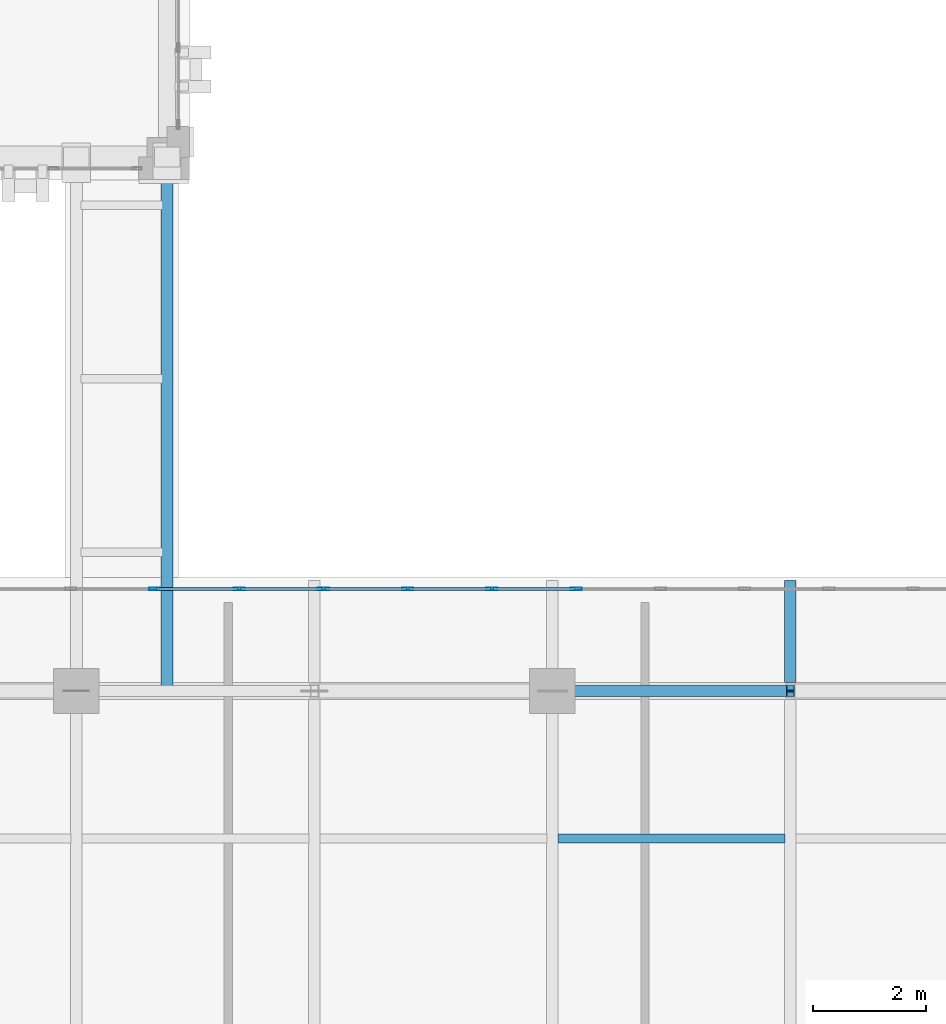
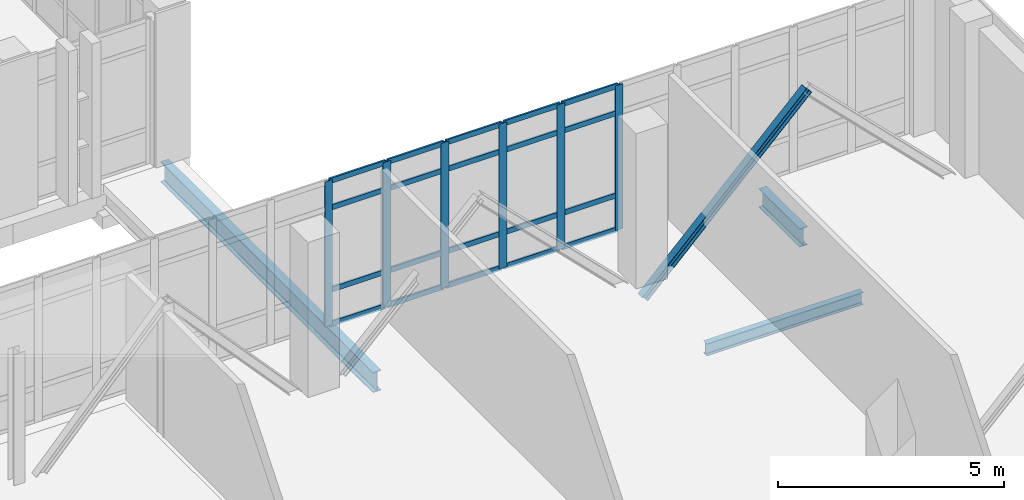
# One storey, part 14 of 158: 27 members, 3 beams, 1 element without a shape of its own.
"""IFC4 building model written with IfcOpenShell, lengths in metres."""

from ifc_helpers import new_model, si_unit, direction, frame, origin, origin_2d, place, context, subcontext, project, spatial, hollow_rectangle, i_section, extrude, material, layer, layer_set, material_profile, profile_set, type_object, element, aggregate, save


model = new_model("IFC4")

# Units and contexts
model_context = context("Model", 3, precision=1e-05, world=origin(), true_north=direction((0.0, 1.0)))
body_context = subcontext(model_context, "Body", "Model", "MODEL_VIEW")
ifc_project = project(units=[si_unit("LENGTHUNIT", "METRE"), si_unit("AREAUNIT", "SQUARE_METRE"), si_unit("VOLUMEUNIT", "CUBIC_METRE"), si_unit("PLANEANGLEUNIT", "RADIAN"), si_unit("MASSUNIT", "GRAM", prefix="KILO")], contexts=[model_context])

# Site, building, storey
site_placement = place(None, origin())
site = spatial("IfcSite", under=ifc_project, at=site_placement, CompositionType="ELEMENT")
building_placement = place(site_placement, origin())
building = spatial("IfcBuilding", under=site, at=building_placement, Name="Qalavern Law Courts", CompositionType="ELEMENT")
storey_placement = place(building_placement, frame((0.0, 0.0, 18.60009765625)))
storey = spatial("IfcBuildingStorey", under=building, at=storey_placement, Name="L04", CompositionType="ELEMENT", Elevation=18.60009765625)

# Curtain wall, members
ifc_material_1 = material(Name="Anodised aluminium and insulated glazing", Category="aluminium")
ifc_layer = layer(ifc_material_1, 0.199951171875)
ifc_layer_set = layer_set([ifc_layer], Name="Anodised aluminium and insulated glazing")
curtain_wall_type = type_object("IfcCurtainWallType", Name="ENV-CW-FOYER", PredefinedType="USERDEFINED", material=ifc_layer_set)
curtain_wall_placement = place(storey_placement, origin())
curtain_wall = element("IfcCurtainWall", 1, at=curtain_wall_placement, inside=storey, type_object=curtain_wall_type, Name="V1 unitised curtain wall L04 north 1", ObjectType="UNITISED CURTAIN WALL", PredefinedType="USERDEFINED")
ifc_material_2 = material(Name="Anodised aluminium", Category="aluminium")
ifc_material_profile_1 = material_profile(ifc_material_2, hollow_rectangle(XDim=0.048095703125, YDim=0.199951171875, WallThickness=0.00439453125, at=origin_2d()), Name="ALU MULLION 48x200")
ifc_profile_set_1 = profile_set([ifc_material_profile_1], Name="Anodised aluminium")
member_type_1 = type_object("IfcMemberType", Name="ENV-CWM-48x200", PredefinedType="MULLION", material=ifc_profile_set_1)
member_1_placement = place(storey_placement, frame((25.62158203125, 33.800048828125, 0.0), z_axis=(0.0, 0.0, 1.0), x_axis=(0.0, -1.0, 0.0)))
member_1 = element("IfcMember", 2, at=member_1_placement, type_object=member_type_1, Name="CW-01 mullion 6", PredefinedType="MULLION", context=body_context, shape_type="SweptSolid", body=[
    extrude(hollow_rectangle(XDim=0.048095703125, YDim=0.199951171875, WallThickness=0.00439453125, at=origin_2d()), origin(), (0.0, 0.0, 1.0), 3.9248046875),
])
member_2_placement = place(storey_placement, frame((24.135009765625, 33.800048828125, 0.0), z_axis=(0.0, 0.0, 1.0), x_axis=(0.0, -1.0, 0.0)))
member_2 = element("IfcMember", 3, at=member_2_placement, type_object=member_type_1, Name="CW-01 mullion 7", PredefinedType="MULLION", context=body_context, shape_type="SweptSolid", body=[
    extrude(hollow_rectangle(XDim=0.048095703125, YDim=0.199951171875, WallThickness=0.00439453125, at=origin_2d()), origin(), (0.0, 0.0, 1.0), 3.9248046875),
])
member_3_placement = place(storey_placement, frame((22.6484375, 33.800048828125, 0.0), z_axis=(0.0, 0.0, 1.0), x_axis=(0.0, -1.0, 0.0)))
member_3 = element("IfcMember", 4, at=member_3_placement, type_object=member_type_1, Name="CW-01 mullion 8", PredefinedType="MULLION", context=body_context, shape_type="SweptSolid", body=[
    extrude(hollow_rectangle(XDim=0.048095703125, YDim=0.199951171875, WallThickness=0.00439453125, at=origin_2d()), origin(), (0.0, 0.0, 1.0), 3.9248046875),
])
member_4_placement = place(storey_placement, frame((21.16162109375, 33.800048828125, 0.0), z_axis=(0.0, 0.0, 1.0), x_axis=(0.0, -1.0, 0.0)))
member_4 = element("IfcMember", 5, at=member_4_placement, type_object=member_type_1, Name="CW-01 mullion 9", PredefinedType="MULLION", context=body_context, shape_type="SweptSolid", body=[
    extrude(hollow_rectangle(XDim=0.048095703125, YDim=0.199951171875, WallThickness=0.00439453125, at=origin_2d()), origin(), (0.0, 0.0, 1.0), 3.9248046875),
])
member_5_placement = place(storey_placement, frame((19.675048828125, 33.800048828125, 0.0), z_axis=(0.0, 0.0, 1.0), x_axis=(0.0, -1.0, 0.0)))
member_5 = element("IfcMember", 6, at=member_5_placement, type_object=member_type_1, Name="CW-01 mullion 10", PredefinedType="MULLION", context=body_context, shape_type="SweptSolid", body=[
    extrude(hollow_rectangle(XDim=0.048095703125, YDim=0.199951171875, WallThickness=0.00439453125, at=origin_2d()), origin(), (0.0, 0.0, 1.0), 3.9248046875),
])
member_6_placement = place(storey_placement, frame((18.188232421875, 33.800048828125, 0.0), z_axis=(0.0, 0.0, 1.0), x_axis=(0.0, -1.0, 0.0)))
member_6 = element("IfcMember", 7, at=member_6_placement, type_object=member_type_1, Name="CW-01 mullion 11", PredefinedType="MULLION", context=body_context, shape_type="SweptSolid", body=[
    extrude(hollow_rectangle(XDim=0.048095703125, YDim=0.199951171875, WallThickness=0.00439453125, at=origin_2d()), origin(), (0.0, 0.0, 1.0), 3.9248046875),
])
ifc_material_profile_2 = material_profile(ifc_material_2, hollow_rectangle(XDim=0.048095703125, YDim=0.139892578125, WallThickness=0.00390625, at=origin_2d()), Name="ALU TRANSOM 48x140")
ifc_profile_set_2 = profile_set([ifc_material_profile_2], Name="Anodised aluminium")
member_type_2 = type_object("IfcMemberType", Name="ENV-CWT-48x140", PredefinedType="USERDEFINED", material=ifc_profile_set_2)
member_7_placement = place(storey_placement, frame((25.59765625, 33.800048828125, 0.02392578125), z_axis=(-1.0, 0.0, 0.0), x_axis=(0.0, -1.0, 0.0)))
member_7 = element("IfcMember", 8, at=member_7_placement, type_object=member_type_2, Name="CW-01 transom 6.1", ObjectType="TRANSOM", PredefinedType="USERDEFINED", context=body_context, shape_type="SweptSolid", body=[
    extrude(hollow_rectangle(XDim=0.048095703125, YDim=0.139892578125, WallThickness=0.00390625, at=origin_2d()), origin(), (0.0, 0.0, 1.0), 1.438720703125),
])
member_8_placement = place(storey_placement, frame((25.59765625, 33.800048828125, 0.949951171875), z_axis=(-1.0, 0.0, 0.0), x_axis=(0.0, -1.0, 0.0)))
member_8 = element("IfcMember", 9, at=member_8_placement, type_object=member_type_2, Name="CW-01 transom 6.2", ObjectType="TRANSOM", PredefinedType="USERDEFINED", context=body_context, shape_type="SweptSolid", body=[
    extrude(hollow_rectangle(XDim=0.048095703125, YDim=0.139892578125, WallThickness=0.00390625, at=origin_2d()), origin(), (0.0, 0.0, 1.0), 1.438720703125),
])
member_9_placement = place(storey_placement, frame((25.59765625, 33.800048828125, 3.1748046875), z_axis=(-1.0, 0.0, 0.0), x_axis=(0.0, -1.0, 0.0)))
member_9 = element("IfcMember", 10, at=member_9_placement, type_object=member_type_2, Name="CW-01 transom 6.3", ObjectType="TRANSOM", PredefinedType="USERDEFINED", context=body_context, shape_type="SweptSolid", body=[
    extrude(hollow_rectangle(XDim=0.048095703125, YDim=0.139892578125, WallThickness=0.00390625, at=origin_2d()), origin(), (0.0, 0.0, 1.0), 1.438720703125),
])
member_10_placement = place(storey_placement, frame((25.59765625, 33.800048828125, 3.90087890625), z_axis=(-1.0, 0.0, 0.0), x_axis=(0.0, -1.0, 0.0)))
member_10 = element("IfcMember", 11, at=member_10_placement, type_object=member_type_2, Name="CW-01 transom 6.4", ObjectType="TRANSOM", PredefinedType="USERDEFINED", context=body_context, shape_type="SweptSolid", body=[
    extrude(hollow_rectangle(XDim=0.048095703125, YDim=0.139892578125, WallThickness=0.00390625, at=origin_2d()), origin(), (0.0, 0.0, 1.0), 1.438720703125),
])
member_11_placement = place(storey_placement, frame((24.111083984375, 33.800048828125, 0.02392578125), z_axis=(-1.0, 0.0, 0.0), x_axis=(0.0, -1.0, 0.0)))
member_11 = element("IfcMember", 12, at=member_11_placement, type_object=member_type_2, Name="CW-01 transom 7.1", ObjectType="TRANSOM", PredefinedType="USERDEFINED", context=body_context, shape_type="SweptSolid", body=[
    extrude(hollow_rectangle(XDim=0.048095703125, YDim=0.139892578125, WallThickness=0.00390625, at=origin_2d()), origin(), (0.0, 0.0, 1.0), 1.438720703125),
])
member_12_placement = place(storey_placement, frame((24.111083984375, 33.800048828125, 0.949951171875), z_axis=(-1.0, 0.0, 0.0), x_axis=(0.0, -1.0, 0.0)))
member_12 = element("IfcMember", 13, at=member_12_placement, type_object=member_type_2, Name="CW-01 transom 7.2", ObjectType="TRANSOM", PredefinedType="USERDEFINED", context=body_context, shape_type="SweptSolid", body=[
    extrude(hollow_rectangle(XDim=0.048095703125, YDim=0.139892578125, WallThickness=0.00390625, at=origin_2d()), origin(), (0.0, 0.0, 1.0), 1.438720703125),
])
member_13_placement = place(storey_placement, frame((24.111083984375, 33.800048828125, 3.1748046875), z_axis=(-1.0, 0.0, 0.0), x_axis=(0.0, -1.0, 0.0)))
member_13 = element("IfcMember", 14, at=member_13_placement, type_object=member_type_2, Name="CW-01 transom 7.3", ObjectType="TRANSOM", PredefinedType="USERDEFINED", context=body_context, shape_type="SweptSolid", body=[
    extrude(hollow_rectangle(XDim=0.048095703125, YDim=0.139892578125, WallThickness=0.00390625, at=origin_2d()), origin(), (0.0, 0.0, 1.0), 1.438720703125),
])
member_14_placement = place(storey_placement, frame((24.111083984375, 33.800048828125, 3.90087890625), z_axis=(-1.0, 0.0, 0.0), x_axis=(0.0, -1.0, 0.0)))
member_14 = element("IfcMember", 15, at=member_14_placement, type_object=member_type_2, Name="CW-01 transom 7.4", ObjectType="TRANSOM", PredefinedType="USERDEFINED", context=body_context, shape_type="SweptSolid", body=[
    extrude(hollow_rectangle(XDim=0.048095703125, YDim=0.139892578125, WallThickness=0.00390625, at=origin_2d()), origin(), (0.0, 0.0, 1.0), 1.438720703125),
])
member_15_placement = place(storey_placement, frame((22.624267578125, 33.800048828125, 0.02392578125), z_axis=(-1.0, 0.0, 0.0), x_axis=(0.0, -1.0, 0.0)))
member_15 = element("IfcMember", 16, at=member_15_placement, type_object=member_type_2, Name="CW-01 transom 8.1", ObjectType="TRANSOM", PredefinedType="USERDEFINED", context=body_context, shape_type="SweptSolid", body=[
    extrude(hollow_rectangle(XDim=0.048095703125, YDim=0.139892578125, WallThickness=0.00390625, at=origin_2d()), origin(), (0.0, 0.0, 1.0), 1.438720703125),
])
member_16_placement = place(storey_placement, frame((22.624267578125, 33.800048828125, 0.949951171875), z_axis=(-1.0, 0.0, 0.0), x_axis=(0.0, -1.0, 0.0)))
member_16 = element("IfcMember", 17, at=member_16_placement, type_object=member_type_2, Name="CW-01 transom 8.2", ObjectType="TRANSOM", PredefinedType="USERDEFINED", context=body_context, shape_type="SweptSolid", body=[
    extrude(hollow_rectangle(XDim=0.048095703125, YDim=0.139892578125, WallThickness=0.00390625, at=origin_2d()), origin(), (0.0, 0.0, 1.0), 1.438720703125),
])
member_17_placement = place(storey_placement, frame((22.624267578125, 33.800048828125, 3.1748046875), z_axis=(-1.0, 0.0, 0.0), x_axis=(0.0, -1.0, 0.0)))
member_17 = element("IfcMember", 18, at=member_17_placement, type_object=member_type_2, Name="CW-01 transom 8.3", ObjectType="TRANSOM", PredefinedType="USERDEFINED", context=body_context, shape_type="SweptSolid", body=[
    extrude(hollow_rectangle(XDim=0.048095703125, YDim=0.139892578125, WallThickness=0.00390625, at=origin_2d()), origin(), (0.0, 0.0, 1.0), 1.438720703125),
])
member_18_placement = place(storey_placement, frame((22.624267578125, 33.800048828125, 3.90087890625), z_axis=(-1.0, 0.0, 0.0), x_axis=(0.0, -1.0, 0.0)))
member_18 = element("IfcMember", 19, at=member_18_placement, type_object=member_type_2, Name="CW-01 transom 8.4", ObjectType="TRANSOM", PredefinedType="USERDEFINED", context=body_context, shape_type="SweptSolid", body=[
    extrude(hollow_rectangle(XDim=0.048095703125, YDim=0.139892578125, WallThickness=0.00390625, at=origin_2d()), origin(), (0.0, 0.0, 1.0), 1.438720703125),
])
member_19_placement = place(storey_placement, frame((21.1376953125, 33.800048828125, 0.02392578125), z_axis=(-1.0, 0.0, 0.0), x_axis=(0.0, -1.0, 0.0)))
member_19 = element("IfcMember", 20, at=member_19_placement, type_object=member_type_2, Name="CW-01 transom 9.1", ObjectType="TRANSOM", PredefinedType="USERDEFINED", context=body_context, shape_type="SweptSolid", body=[
    extrude(hollow_rectangle(XDim=0.048095703125, YDim=0.139892578125, WallThickness=0.00390625, at=origin_2d()), origin(), (0.0, 0.0, 1.0), 1.438720703125),
])
member_20_placement = place(storey_placement, frame((21.1376953125, 33.800048828125, 0.949951171875), z_axis=(-1.0, 0.0, 0.0), x_axis=(0.0, -1.0, 0.0)))
member_20 = element("IfcMember", 21, at=member_20_placement, type_object=member_type_2, Name="CW-01 transom 9.2", ObjectType="TRANSOM", PredefinedType="USERDEFINED", context=body_context, shape_type="SweptSolid", body=[
    extrude(hollow_rectangle(XDim=0.048095703125, YDim=0.139892578125, WallThickness=0.00390625, at=origin_2d()), origin(), (0.0, 0.0, 1.0), 1.438720703125),
])
member_21_placement = place(storey_placement, frame((21.1376953125, 33.800048828125, 3.1748046875), z_axis=(-1.0, 0.0, 0.0), x_axis=(0.0, -1.0, 0.0)))
member_21 = element("IfcMember", 22, at=member_21_placement, type_object=member_type_2, Name="CW-01 transom 9.3", ObjectType="TRANSOM", PredefinedType="USERDEFINED", context=body_context, shape_type="SweptSolid", body=[
    extrude(hollow_rectangle(XDim=0.048095703125, YDim=0.139892578125, WallThickness=0.00390625, at=origin_2d()), origin(), (0.0, 0.0, 1.0), 1.438720703125),
])
member_22_placement = place(storey_placement, frame((21.1376953125, 33.800048828125, 3.90087890625), z_axis=(-1.0, 0.0, 0.0), x_axis=(0.0, -1.0, 0.0)))
member_22 = element("IfcMember", 23, at=member_22_placement, type_object=member_type_2, Name="CW-01 transom 9.4", ObjectType="TRANSOM", PredefinedType="USERDEFINED", context=body_context, shape_type="SweptSolid", body=[
    extrude(hollow_rectangle(XDim=0.048095703125, YDim=0.139892578125, WallThickness=0.00390625, at=origin_2d()), origin(), (0.0, 0.0, 1.0), 1.438720703125),
])
member_23_placement = place(storey_placement, frame((19.65087890625, 33.800048828125, 0.02392578125), z_axis=(-1.0, 0.0, 0.0), x_axis=(0.0, -1.0, 0.0)))
member_23 = element("IfcMember", 24, at=member_23_placement, type_object=member_type_2, Name="CW-01 transom 10.1", ObjectType="TRANSOM", PredefinedType="USERDEFINED", context=body_context, shape_type="SweptSolid", body=[
    extrude(hollow_rectangle(XDim=0.048095703125, YDim=0.139892578125, WallThickness=0.00390625, at=origin_2d()), origin(), (0.0, 0.0, 1.0), 1.4384765625),
])
member_24_placement = place(storey_placement, frame((19.65087890625, 33.800048828125, 0.949951171875), z_axis=(-1.0, 0.0, 0.0), x_axis=(0.0, -1.0, 0.0)))
member_24 = element("IfcMember", 25, at=member_24_placement, type_object=member_type_2, Name="CW-01 transom 10.2", ObjectType="TRANSOM", PredefinedType="USERDEFINED", context=body_context, shape_type="SweptSolid", body=[
    extrude(hollow_rectangle(XDim=0.048095703125, YDim=0.139892578125, WallThickness=0.00390625, at=origin_2d()), origin(), (0.0, 0.0, 1.0), 1.4384765625),
])
member_25_placement = place(storey_placement, frame((19.65087890625, 33.800048828125, 3.1748046875), z_axis=(-1.0, 0.0, 0.0), x_axis=(0.0, -1.0, 0.0)))
member_25 = element("IfcMember", 26, at=member_25_placement, type_object=member_type_2, Name="CW-01 transom 10.3", ObjectType="TRANSOM", PredefinedType="USERDEFINED", context=body_context, shape_type="SweptSolid", body=[
    extrude(hollow_rectangle(XDim=0.048095703125, YDim=0.139892578125, WallThickness=0.00390625, at=origin_2d()), origin(), (0.0, 0.0, 1.0), 1.4384765625),
])
member_26_placement = place(storey_placement, frame((19.65087890625, 33.800048828125, 3.90087890625), z_axis=(-1.0, 0.0, 0.0), x_axis=(0.0, -1.0, 0.0)))
member_26 = element("IfcMember", 27, at=member_26_placement, type_object=member_type_2, Name="CW-01 transom 10.4", ObjectType="TRANSOM", PredefinedType="USERDEFINED", context=body_context, shape_type="SweptSolid", body=[
    extrude(hollow_rectangle(XDim=0.048095703125, YDim=0.139892578125, WallThickness=0.00390625, at=origin_2d()), origin(), (0.0, 0.0, 1.0), 1.4384765625),
])
aggregate(curtain_wall, [member_1, member_2, member_3, member_4, member_5, member_6, member_7, member_8, member_9, member_10, member_11, member_12, member_13, member_14, member_15, member_16, member_17, member_18, member_19, member_20, member_21, member_22, member_23, member_24, member_25, member_26])

# Beams
ifc_material_3 = material(Name="Steel S355", Category="steel")
ifc_material_profile_3 = material_profile(ifc_material_3, i_section(OverallWidth=0.199951171875, OverallDepth=0.5, WebThickness=0.01025390625, FlangeThickness=0.01611328125, FilletRadius=0.02099609375, at=origin_2d()), Name="IPE 500")
ifc_profile_set_3 = profile_set([ifc_material_profile_3], Name="Steel S355")
beam_type_1 = type_object("IfcBeamType", Name="STR-BM-IPE500", PredefinedType="BEAM", material=ifc_profile_set_3)
beam_1_placement = place(storey_placement, frame((29.39990234375, 32.14794921875, -0.530029296875), z_axis=(0.0, 1.0, 0.0), x_axis=(-1.0, 0.0, 0.0)))
element("IfcBeam", 28, at=beam_1_placement, inside=storey, type_object=beam_type_1, Name="Foyer transverse beam L04-2.4", PredefinedType="BEAM", context=body_context, shape_type="SweptSolid", body=[
    extrude(i_section(OverallWidth=0.199951171875, OverallDepth=0.5, WebThickness=0.01025390625, FlangeThickness=0.01611328125, FilletRadius=0.02099609375, at=origin_2d()), origin(), (0.0, 0.0, 1.0), 1.802001953125),
])
ifc_material_profile_4 = material_profile(ifc_material_3, i_section(OverallWidth=0.2099609375, OverallDepth=0.550048828125, WebThickness=0.010986328125, FlangeThickness=0.01708984375, FilletRadius=0.02392578125, at=origin_2d()), Name="IPE 550")
ifc_profile_set_4 = profile_set([ifc_material_profile_4], Name="Steel S355")
beam_type_2 = type_object("IfcBeamType", Name="STR-BM-IPE550", PredefinedType="BEAM", material=ifc_profile_set_4)
beam_2_placement = place(storey_placement, frame((18.39990234375, 32.0, -0.503173828125), z_axis=(0.0, 1.0, 0.0), x_axis=(-1.0, 0.0, 0.0)))
element("IfcBeam", 29, at=beam_2_placement, inside=storey, type_object=beam_type_2, Name="Bridge BR-V1-V3 edge girder 2 L04", PredefinedType="BEAM", context=body_context, shape_type="SweptSolid", body=[
    extrude(i_section(OverallWidth=0.2099609375, OverallDepth=0.550048828125, WebThickness=0.010986328125, FlangeThickness=0.01708984375, FilletRadius=0.02392578125, at=origin_2d()), origin(), (0.0, 0.0, 1.0), 9.419921875),
])

# Member
ifc_material_profile_5 = material_profile(ifc_material_3, i_section(OverallWidth=0.199951171875, OverallDepth=0.199951171875, WebThickness=0.009033203125, FlangeThickness=0.014892578125, FilletRadius=0.01806640625, at=origin_2d()), Name="HEB 200")
ifc_profile_set_5 = profile_set([ifc_material_profile_5], Name="Steel S355")
member_type_3 = type_object("IfcMemberType", Name="STR-BR-HEB200", PredefinedType="BRACE", material=ifc_profile_set_5)
member_27_placement = place(storey_placement, frame((29.39990234375, 32.0, 3.578857421875), z_axis=(-0.708464501441, 0.0, -0.705746448945), x_axis=(0.0, -1.0, 0.0)))
element("IfcMember", 30, at=member_27_placement, inside=storey, type_object=member_type_3, Name="Cantilever truss T3 diagonal L04-2", PredefinedType="BRACE", context=body_context, shape_type="SweptSolid", body=[
    extrude(i_section(OverallWidth=0.199951171875, OverallDepth=0.199951171875, WebThickness=0.009033203125, FlangeThickness=0.014892578125, FilletRadius=0.01806640625, at=origin_2d()), origin(), (0.0, 0.0, 1.0), 5.92822265625),
])

# Beam
ifc_material_profile_6 = material_profile(ifc_material_3, i_section(OverallWidth=0.159912109375, OverallDepth=0.330078125, WebThickness=0.007568359375, FlangeThickness=0.011474609375, FilletRadius=0.01806640625, at=origin_2d()), Name="IPE 330")
ifc_profile_set_6 = profile_set([ifc_material_profile_6], Name="Steel S355")
beam_type_3 = type_object("IfcBeamType", Name="STR-JST-IPE330", PredefinedType="JOIST", material=ifc_profile_set_6)
beam_3_placement = place(storey_placement, frame((25.298095703125, 29.39990234375, -0.445068359375), z_axis=(1.0, 0.0, 0.0), x_axis=(0.0, 1.0, 0.0)))
element("IfcBeam", 31, at=beam_3_placement, inside=storey, type_object=beam_type_3, Name="Foyer floor joist L04-2.4", PredefinedType="JOIST", context=body_context, shape_type="SweptSolid", body=[
    extrude(i_section(OverallWidth=0.159912109375, OverallDepth=0.330078125, WebThickness=0.007568359375, FlangeThickness=0.011474609375, FilletRadius=0.01806640625, at=origin_2d()), origin(), (0.0, 0.0, 1.0), 4.00390625),
])

save(model, "model.ifc")
